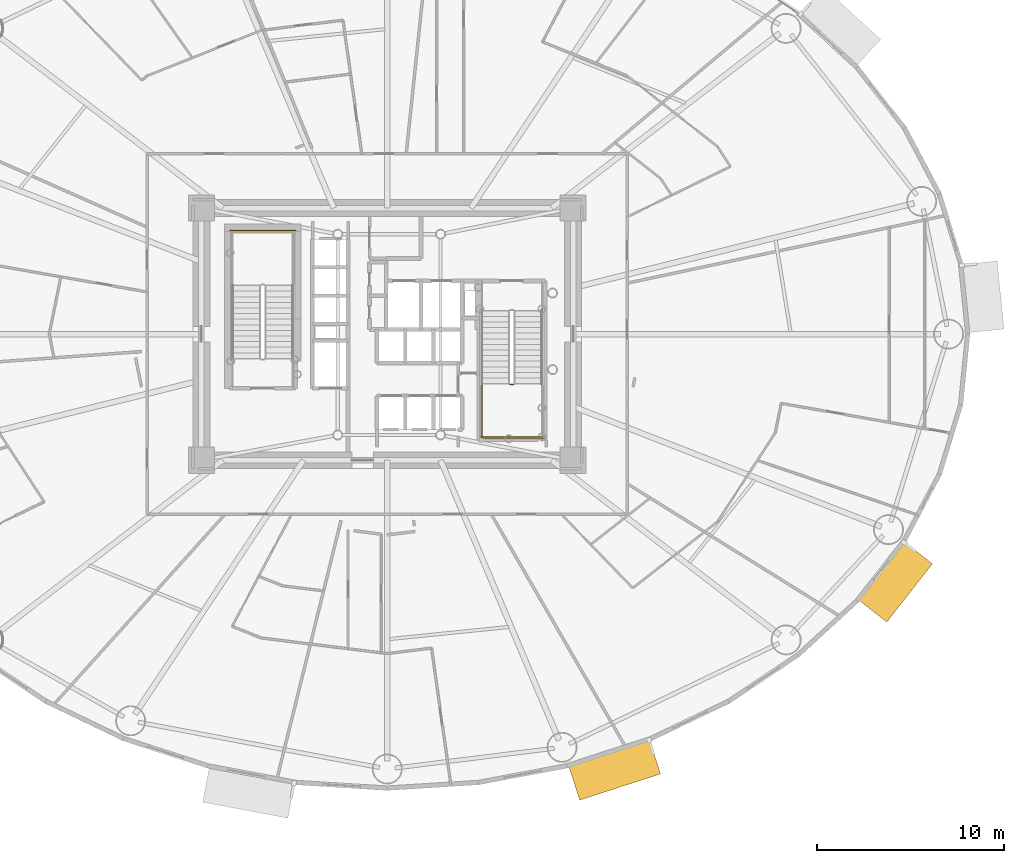
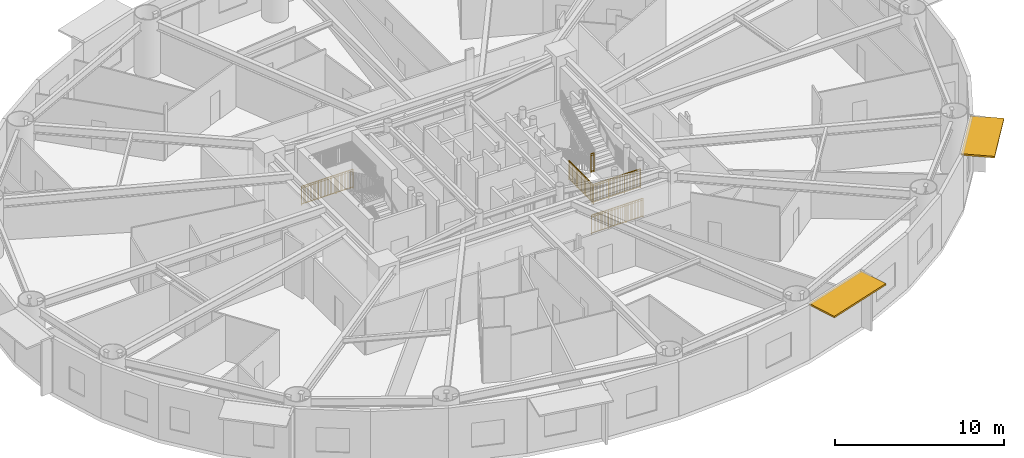
# One storey, part 17 of 20: 5 railings, 2 shading devices.
"""IFC4 building model written with IfcOpenShell, lengths in metres."""

from ifc_helpers import new_model, si_unit, direction, frame, origin, origin_2d, place, context, subcontext, project, spatial, rectangle, extrude, source, transform, mapped, material, layer, layer_set, type_object, element, save


model = new_model("IFC4")

# Units and contexts
model_context = context("Model", 3, precision=1e-05, world=origin(), true_north=direction((0.0, 1.0)))
body_context = subcontext(model_context, "Body", "Model", "MODEL_VIEW")
ifc_project = project(units=[si_unit("LENGTHUNIT", "METRE"), si_unit("AREAUNIT", "SQUARE_METRE"), si_unit("VOLUMEUNIT", "CUBIC_METRE"), si_unit("PLANEANGLEUNIT", "RADIAN"), si_unit("MASSUNIT", "GRAM", prefix="KILO")], contexts=[model_context])

# Site, building, storey
site_placement = place(None, origin())
site = spatial("IfcSite", under=ifc_project, at=site_placement, CompositionType="ELEMENT")
building_placement = place(site_placement, origin())
building = spatial("IfcBuilding", under=site, at=building_placement, Name="Linh Dai School and Residence Tower", CompositionType="ELEMENT")
storey_placement = place(building_placement, frame((0.0, 0.0, 66.0)))
storey = spatial("IfcBuildingStorey", under=building, at=storey_placement, Name="L15", CompositionType="ELEMENT", Elevation=66.0)

# Shading devices
ifc_material_1 = material(Name="Terracotta Ceramic Sunshade", Category="masonry")
ifc_layer = layer(ifc_material_1, 0.1201171875)
ifc_layer_set = layer_set([ifc_layer], Name="Terracotta Ceramic Sunshade")
shading_device_type = type_object("IfcShadingDeviceType", Name="SHD-TC-2000", PredefinedType="USERDEFINED", material=ifc_layer_set)
shared_shape_1 = source(origin(), body_context, "Body", "SweptSolid", [
    extrude(rectangle(XDim=4.54931640625, YDim=2.0, at=origin_2d()), origin(), (0.0, 0.0, 1.0), 0.1201171875),
])
shading_device_1_placement = place(storey_placement, frame((48.160400390625, 3.70458984375, 3.81005859375), z_axis=(0.0, 0.0, 1.0), x_axis=(-0.951220777043, -0.308510993844, 0.0)))
element("IfcShadingDevice", 1, at=shading_device_1_placement, inside=storey, type_object=shading_device_type, Name="L15 Terracotta Horizontal Sunshade Band 33", ObjectType="SUNSHADE", PredefinedType="USERDEFINED", context=body_context, shape_type="MappedRepresentation", body=[
    mapped(shared_shape_1, transform((0.0, 0.0, 0.0), x_axis=(1.0, 0.0, 0.0), y_axis=(0.0, 1.0, 0.0), z_axis=(0.0, 0.0, 1.0), scale=1.0)),
])
shared_shape_2 = source(origin(), body_context, "Body", "SweptSolid", [
    extrude(rectangle(XDim=3.964111328125, YDim=2.0, at=origin_2d()), origin(), (0.0, 0.0, 1.0), 0.1201171875),
])
shading_device_2_placement = place(storey_placement, frame((63.17822265625, 13.759521484375, 3.81005859375), z_axis=(0.0, 0.0, 1.0), x_axis=(-0.616319427785, -0.787496262172, 0.0)))
element("IfcShadingDevice", 2, at=shading_device_2_placement, inside=storey, type_object=shading_device_type, Name="L15 Terracotta Horizontal Sunshade Band 37", ObjectType="SUNSHADE", PredefinedType="USERDEFINED", context=body_context, shape_type="MappedRepresentation", body=[
    mapped(shared_shape_2, transform((0.0, 0.0, 0.0), x_axis=(1.0, 0.0, 0.0), y_axis=(0.0, 1.0, 0.0), z_axis=(0.0, 0.0, 1.0), scale=1.0)),
])

# Railings
ifc_material_2 = material(Name="Structural Steel S355JR", Category="steel")
railing_type = type_object("IfcRailingType", Name="RL-ST-GUARD-1400", PredefinedType="GUARDRAIL", material=ifc_material_2)
shared_shape_3 = source(origin(), body_context, "Body", "SweptSolid", [
    extrude(rectangle(XDim=0.048095703125, YDim=0.048095703125, at=origin_2d()), frame((0.0, 0.0, 1.3759765625), z_axis=(-1.0, 0.0, 0.0), x_axis=(0.0, -1.0, 0.0)), (0.0, 0.0, 1.0), 3.5),
    extrude(rectangle(XDim=0.048095703125, YDim=0.048095703125, at=origin_2d()), frame((0.0, 0.0, 0.10009765625), z_axis=(-1.0, 0.0, 0.0), x_axis=(0.0, -1.0, 0.0)), (0.0, 0.0, 1.0), 3.5),
    extrude(rectangle(XDim=0.030029296875, YDim=0.030029296875, at=origin_2d()), frame((0.0, 0.0, 1.239990234375), z_axis=(-1.0, 0.0, 0.0), x_axis=(0.0, -1.0, 0.0)), (0.0, 0.0, 1.0), 3.5),
    extrude(rectangle(XDim=0.02001953125, YDim=0.02001953125, at=origin_2d()), frame((-0.09716796875, 0.0, 0.10009765625)), (0.0, 0.0, 1.0), 1.251708984375),
    extrude(rectangle(XDim=0.02001953125, YDim=0.02001953125, at=origin_2d()), frame((-0.1943359375, 0.0, 0.10009765625)), (0.0, 0.0, 1.0), 1.251708984375),
    extrude(rectangle(XDim=0.02001953125, YDim=0.02001953125, at=origin_2d()), frame((-0.291748046875, 0.0, 0.10009765625)), (0.0, 0.0, 1.0), 1.251708984375),
    extrude(rectangle(XDim=0.02001953125, YDim=0.02001953125, at=origin_2d()), frame((-0.388916015625, 0.0, 0.10009765625)), (0.0, 0.0, 1.0), 1.251708984375),
    extrude(rectangle(XDim=0.02001953125, YDim=0.02001953125, at=origin_2d()), frame((-0.486083984375, 0.0, 0.10009765625)), (0.0, 0.0, 1.0), 1.251708984375),
    extrude(rectangle(XDim=0.02001953125, YDim=0.02001953125, at=origin_2d()), frame((-0.583251953125, 0.0, 0.10009765625)), (0.0, 0.0, 1.0), 1.251708984375),
    extrude(rectangle(XDim=0.02001953125, YDim=0.02001953125, at=origin_2d()), frame((-0.6806640625, 0.0, 0.10009765625)), (0.0, 0.0, 1.0), 1.251708984375),
    extrude(rectangle(XDim=0.02001953125, YDim=0.02001953125, at=origin_2d()), frame((-0.77783203125, 0.0, 0.10009765625)), (0.0, 0.0, 1.0), 1.251708984375),
    extrude(rectangle(XDim=0.02001953125, YDim=0.02001953125, at=origin_2d()), frame((-0.875, 0.0, 0.10009765625)), (0.0, 0.0, 1.0), 1.251708984375),
    extrude(rectangle(XDim=0.02001953125, YDim=0.02001953125, at=origin_2d()), frame((-0.97216796875, 0.0, 0.10009765625)), (0.0, 0.0, 1.0), 1.251708984375),
    extrude(rectangle(XDim=0.02001953125, YDim=0.02001953125, at=origin_2d()), frame((-1.0693359375, 0.0, 0.10009765625)), (0.0, 0.0, 1.0), 1.251708984375),
    extrude(rectangle(XDim=0.02001953125, YDim=0.02001953125, at=origin_2d()), frame((-1.263916015625, 0.0, 0.10009765625)), (0.0, 0.0, 1.0), 1.251708984375),
    extrude(rectangle(XDim=0.02001953125, YDim=0.02001953125, at=origin_2d()), frame((-1.361083984375, 0.0, 0.10009765625)), (0.0, 0.0, 1.0), 1.251708984375),
    extrude(rectangle(XDim=0.02001953125, YDim=0.02001953125, at=origin_2d()), frame((-1.458251953125, 0.0, 0.10009765625)), (0.0, 0.0, 1.0), 1.251708984375),
    extrude(rectangle(XDim=0.02001953125, YDim=0.02001953125, at=origin_2d()), frame((-1.5556640625, 0.0, 0.10009765625)), (0.0, 0.0, 1.0), 1.251708984375),
    extrude(rectangle(XDim=0.02001953125, YDim=0.02001953125, at=origin_2d()), frame((-1.65283203125, 0.0, 0.10009765625)), (0.0, 0.0, 1.0), 1.251708984375),
    extrude(rectangle(XDim=0.02001953125, YDim=0.02001953125, at=origin_2d()), frame((-1.75, 0.0, 0.10009765625)), (0.0, 0.0, 1.0), 1.251708984375),
    extrude(rectangle(XDim=0.02001953125, YDim=0.02001953125, at=origin_2d()), frame((-1.84716796875, 0.0, 0.10009765625)), (0.0, 0.0, 1.0), 1.251708984375),
    extrude(rectangle(XDim=0.02001953125, YDim=0.02001953125, at=origin_2d()), frame((-1.9443359375, 0.0, 0.10009765625)), (0.0, 0.0, 1.0), 1.251708984375),
    extrude(rectangle(XDim=0.02001953125, YDim=0.02001953125, at=origin_2d()), frame((-2.041748046875, 0.0, 0.10009765625)), (0.0, 0.0, 1.0), 1.251708984375),
    extrude(rectangle(XDim=0.02001953125, YDim=0.02001953125, at=origin_2d()), frame((-2.138916015625, 0.0, 0.10009765625)), (0.0, 0.0, 1.0), 1.251708984375),
    extrude(rectangle(XDim=0.02001953125, YDim=0.02001953125, at=origin_2d()), frame((-2.236083984375, 0.0, 0.10009765625)), (0.0, 0.0, 1.0), 1.251708984375),
    extrude(rectangle(XDim=0.02001953125, YDim=0.02001953125, at=origin_2d()), frame((-2.4306640625, 0.0, 0.10009765625)), (0.0, 0.0, 1.0), 1.251708984375),
    extrude(rectangle(XDim=0.02001953125, YDim=0.02001953125, at=origin_2d()), frame((-2.52783203125, 0.0, 0.10009765625)), (0.0, 0.0, 1.0), 1.251708984375),
    extrude(rectangle(XDim=0.02001953125, YDim=0.02001953125, at=origin_2d()), frame((-2.625, 0.0, 0.10009765625)), (0.0, 0.0, 1.0), 1.251708984375),
    extrude(rectangle(XDim=0.02001953125, YDim=0.02001953125, at=origin_2d()), frame((-2.72216796875, 0.0, 0.10009765625)), (0.0, 0.0, 1.0), 1.251708984375),
    extrude(rectangle(XDim=0.02001953125, YDim=0.02001953125, at=origin_2d()), frame((-2.8193359375, 0.0, 0.10009765625)), (0.0, 0.0, 1.0), 1.251708984375),
    extrude(rectangle(XDim=0.02001953125, YDim=0.02001953125, at=origin_2d()), frame((-2.916748046875, 0.0, 0.10009765625)), (0.0, 0.0, 1.0), 1.251708984375),
    extrude(rectangle(XDim=0.02001953125, YDim=0.02001953125, at=origin_2d()), frame((-3.013916015625, 0.0, 0.10009765625)), (0.0, 0.0, 1.0), 1.251708984375),
    extrude(rectangle(XDim=0.02001953125, YDim=0.02001953125, at=origin_2d()), frame((-3.111083984375, 0.0, 0.10009765625)), (0.0, 0.0, 1.0), 1.251708984375),
    extrude(rectangle(XDim=0.02001953125, YDim=0.02001953125, at=origin_2d()), frame((-3.208251953125, 0.0, 0.10009765625)), (0.0, 0.0, 1.0), 1.251708984375),
    extrude(rectangle(XDim=0.02001953125, YDim=0.02001953125, at=origin_2d()), frame((-3.3056640625, 0.0, 0.10009765625)), (0.0, 0.0, 1.0), 1.251708984375),
    extrude(rectangle(XDim=0.02001953125, YDim=0.02001953125, at=origin_2d()), frame((-3.40283203125, 0.0, 0.10009765625)), (0.0, 0.0, 1.0), 1.251708984375),
    extrude(rectangle(XDim=0.0419921875, YDim=0.0419921875, at=origin_2d()), origin(), (0.0, 0.0, 1.0), 1.3759765625),
    extrude(rectangle(XDim=0.0419921875, YDim=0.0419921875, at=origin_2d()), frame((-1.166748046875, 0.0, 0.0)), (0.0, 0.0, 1.0), 1.3759765625),
    extrude(rectangle(XDim=0.0419921875, YDim=0.0419921875, at=origin_2d()), frame((-2.333251953125, 0.0, 0.0)), (0.0, 0.0, 1.0), 1.3759765625),
    extrude(rectangle(XDim=0.0419921875, YDim=0.0419921875, at=origin_2d()), frame((-3.5, 0.0, 0.0)), (0.0, 0.0, 1.0), 1.3759765625),
])
railing_1_placement = place(storey_placement, frame((31.080078125, 32.550048828125, 0.0)))
element("IfcRailing", 3, at=railing_1_placement, inside=storey, type_object=railing_type, Name="L15 ST1 stair guard 12", PredefinedType="GUARDRAIL", context=body_context, shape_type="MappedRepresentation", body=[
    mapped(shared_shape_3, transform((0.0, 0.0, 0.0), x_axis=(1.0, 0.0, 0.0), y_axis=(0.0, 1.0, 0.0), z_axis=(0.0, 0.0, 1.0), scale=1.0)),
])
shared_shape_4 = source(origin(), body_context, "Body", "SweptSolid", [
    extrude(rectangle(XDim=0.048095703125, YDim=0.048095703125, at=origin_2d()), frame((0.0, 0.0, 1.3759765625), z_axis=(1.0, 0.0, 0.0), x_axis=(0.0, 1.0, 0.0)), (0.0, 0.0, 1.0), 0.199951171875),
    extrude(rectangle(XDim=0.048095703125, YDim=0.048095703125, at=origin_2d()), frame((0.0, 0.0, 0.10009765625), z_axis=(1.0, 0.0, 0.0), x_axis=(0.0, 1.0, 0.0)), (0.0, 0.0, 1.0), 0.199951171875),
    extrude(rectangle(XDim=0.030029296875, YDim=0.030029296875, at=origin_2d()), frame((0.0, 0.0, 1.239990234375), z_axis=(1.0, 0.0, 0.0), x_axis=(0.0, 1.0, 0.0)), (0.0, 0.0, 1.0), 0.199951171875),
    extrude(rectangle(XDim=0.0419921875, YDim=0.0419921875, at=origin_2d()), origin(), (0.0, 0.0, 1.0), 1.3759765625),
    extrude(rectangle(XDim=0.0419921875, YDim=0.0419921875, at=origin_2d()), frame((0.199951171875, 0.0, 0.0)), (0.0, 0.0, 1.0), 1.3759765625),
])
railing_2_placement = place(storey_placement, frame((42.570068359375, 24.300048828125, 2.10009765625)))
element("IfcRailing", 4, at=railing_2_placement, inside=storey, type_object=railing_type, Name="L15 ST2 stair guard 2", PredefinedType="GUARDRAIL", context=body_context, shape_type="MappedRepresentation", body=[
    mapped(shared_shape_4, transform((0.0, 0.0, 0.0), x_axis=(1.0, 0.0, 0.0), y_axis=(0.0, 1.0, 0.0), z_axis=(0.0, 0.0, 1.0), scale=1.0)),
])
shared_shape_5 = source(origin(), body_context, "Body", "SweptSolid", [
    extrude(rectangle(XDim=0.048095703125, YDim=0.048095703125, at=origin_2d()), frame((0.0, 0.0, 1.3759765625), z_axis=(1.0, 0.0, 0.0), x_axis=(0.0, 1.0, 0.0)), (0.0, 0.0, 1.0), 3.300048828125),
    extrude(rectangle(XDim=0.048095703125, YDim=0.048095703125, at=origin_2d()), frame((0.0, 0.0, 0.10009765625), z_axis=(1.0, 0.0, 0.0), x_axis=(0.0, 1.0, 0.0)), (0.0, 0.0, 1.0), 3.300048828125),
    extrude(rectangle(XDim=0.030029296875, YDim=0.030029296875, at=origin_2d()), frame((0.0, 0.0, 1.239990234375), z_axis=(1.0, 0.0, 0.0), x_axis=(0.0, 1.0, 0.0)), (0.0, 0.0, 1.0), 3.300048828125),
    extrude(rectangle(XDim=0.02001953125, YDim=0.02001953125, at=origin_2d()), frame((0.09716796875, 0.0, 0.10009765625)), (0.0, 0.0, 1.0), 1.251708984375),
    extrude(rectangle(XDim=0.02001953125, YDim=0.02001953125, at=origin_2d()), frame((0.194091796875, 0.0, 0.10009765625)), (0.0, 0.0, 1.0), 1.251708984375),
    extrude(rectangle(XDim=0.02001953125, YDim=0.02001953125, at=origin_2d()), frame((0.291259765625, 0.0, 0.10009765625)), (0.0, 0.0, 1.0), 1.251708984375),
    extrude(rectangle(XDim=0.02001953125, YDim=0.02001953125, at=origin_2d()), frame((0.38818359375, 0.0, 0.10009765625)), (0.0, 0.0, 1.0), 1.251708984375),
    extrude(rectangle(XDim=0.02001953125, YDim=0.02001953125, at=origin_2d()), frame((0.4853515625, 0.0, 0.10009765625)), (0.0, 0.0, 1.0), 1.251708984375),
    extrude(rectangle(XDim=0.02001953125, YDim=0.02001953125, at=origin_2d()), frame((0.582275390625, 0.0, 0.10009765625)), (0.0, 0.0, 1.0), 1.251708984375),
    extrude(rectangle(XDim=0.02001953125, YDim=0.02001953125, at=origin_2d()), frame((0.679443359375, 0.0, 0.10009765625)), (0.0, 0.0, 1.0), 1.251708984375),
    extrude(rectangle(XDim=0.02001953125, YDim=0.02001953125, at=origin_2d()), frame((0.7763671875, 0.0, 0.10009765625)), (0.0, 0.0, 1.0), 1.251708984375),
    extrude(rectangle(XDim=0.02001953125, YDim=0.02001953125, at=origin_2d()), frame((0.87353515625, 0.0, 0.10009765625)), (0.0, 0.0, 1.0), 1.251708984375),
    extrude(rectangle(XDim=0.02001953125, YDim=0.02001953125, at=origin_2d()), frame((0.970703125, 0.0, 0.10009765625)), (0.0, 0.0, 1.0), 1.251708984375),
    extrude(rectangle(XDim=0.02001953125, YDim=0.02001953125, at=origin_2d()), frame((1.164794921875, 0.0, 0.10009765625)), (0.0, 0.0, 1.0), 1.251708984375),
    extrude(rectangle(XDim=0.02001953125, YDim=0.02001953125, at=origin_2d()), frame((1.26171875, 0.0, 0.10009765625)), (0.0, 0.0, 1.0), 1.251708984375),
    extrude(rectangle(XDim=0.02001953125, YDim=0.02001953125, at=origin_2d()), frame((1.35888671875, 0.0, 0.10009765625)), (0.0, 0.0, 1.0), 1.251708984375),
    extrude(rectangle(XDim=0.02001953125, YDim=0.02001953125, at=origin_2d()), frame((1.455810546875, 0.0, 0.10009765625)), (0.0, 0.0, 1.0), 1.251708984375),
    extrude(rectangle(XDim=0.02001953125, YDim=0.02001953125, at=origin_2d()), frame((1.552978515625, 0.0, 0.10009765625)), (0.0, 0.0, 1.0), 1.251708984375),
    extrude(rectangle(XDim=0.02001953125, YDim=0.02001953125, at=origin_2d()), frame((1.64990234375, 0.0, 0.10009765625)), (0.0, 0.0, 1.0), 1.251708984375),
    extrude(rectangle(XDim=0.02001953125, YDim=0.02001953125, at=origin_2d()), frame((1.7470703125, 0.0, 0.10009765625)), (0.0, 0.0, 1.0), 1.251708984375),
    extrude(rectangle(XDim=0.02001953125, YDim=0.02001953125, at=origin_2d()), frame((1.84423828125, 0.0, 0.10009765625)), (0.0, 0.0, 1.0), 1.251708984375),
    extrude(rectangle(XDim=0.02001953125, YDim=0.02001953125, at=origin_2d()), frame((1.941162109375, 0.0, 0.10009765625)), (0.0, 0.0, 1.0), 1.251708984375),
    extrude(rectangle(XDim=0.02001953125, YDim=0.02001953125, at=origin_2d()), frame((2.038330078125, 0.0, 0.10009765625)), (0.0, 0.0, 1.0), 1.251708984375),
    extrude(rectangle(XDim=0.02001953125, YDim=0.02001953125, at=origin_2d()), frame((2.13525390625, 0.0, 0.10009765625)), (0.0, 0.0, 1.0), 1.251708984375),
    extrude(rectangle(XDim=0.02001953125, YDim=0.02001953125, at=origin_2d()), frame((2.329345703125, 0.0, 0.10009765625)), (0.0, 0.0, 1.0), 1.251708984375),
    extrude(rectangle(XDim=0.02001953125, YDim=0.02001953125, at=origin_2d()), frame((2.426513671875, 0.0, 0.10009765625)), (0.0, 0.0, 1.0), 1.251708984375),
    extrude(rectangle(XDim=0.02001953125, YDim=0.02001953125, at=origin_2d()), frame((2.523681640625, 0.0, 0.10009765625)), (0.0, 0.0, 1.0), 1.251708984375),
    extrude(rectangle(XDim=0.02001953125, YDim=0.02001953125, at=origin_2d()), frame((2.62060546875, 0.0, 0.10009765625)), (0.0, 0.0, 1.0), 1.251708984375),
    extrude(rectangle(XDim=0.02001953125, YDim=0.02001953125, at=origin_2d()), frame((2.7177734375, 0.0, 0.10009765625)), (0.0, 0.0, 1.0), 1.251708984375),
    extrude(rectangle(XDim=0.02001953125, YDim=0.02001953125, at=origin_2d()), frame((2.814697265625, 0.0, 0.10009765625)), (0.0, 0.0, 1.0), 1.251708984375),
    extrude(rectangle(XDim=0.02001953125, YDim=0.02001953125, at=origin_2d()), frame((2.911865234375, 0.0, 0.10009765625)), (0.0, 0.0, 1.0), 1.251708984375),
    extrude(rectangle(XDim=0.02001953125, YDim=0.02001953125, at=origin_2d()), frame((3.0087890625, 0.0, 0.10009765625)), (0.0, 0.0, 1.0), 1.251708984375),
    extrude(rectangle(XDim=0.02001953125, YDim=0.02001953125, at=origin_2d()), frame((3.10595703125, 0.0, 0.10009765625)), (0.0, 0.0, 1.0), 1.251708984375),
    extrude(rectangle(XDim=0.02001953125, YDim=0.02001953125, at=origin_2d()), frame((3.202880859375, 0.0, 0.10009765625)), (0.0, 0.0, 1.0), 1.251708984375),
    extrude(rectangle(XDim=0.0419921875, YDim=0.0419921875, at=origin_2d()), origin(), (0.0, 0.0, 1.0), 1.3759765625),
    extrude(rectangle(XDim=0.0419921875, YDim=0.0419921875, at=origin_2d()), frame((1.10009765625, 0.0, 0.0)), (0.0, 0.0, 1.0), 1.3759765625),
    extrude(rectangle(XDim=0.0419921875, YDim=0.0419921875, at=origin_2d()), frame((2.199951171875, 0.0, 0.0)), (0.0, 0.0, 1.0), 1.3759765625),
    extrude(rectangle(XDim=0.0419921875, YDim=0.0419921875, at=origin_2d()), frame((3.300048828125, 0.0, 0.0)), (0.0, 0.0, 1.0), 1.3759765625),
])
railing_3_placement = place(storey_placement, frame((41.02001953125, 21.5, 2.10009765625)))
element("IfcRailing", 5, at=railing_3_placement, inside=storey, type_object=railing_type, Name="L15 ST2 stair guard 5", PredefinedType="GUARDRAIL", context=body_context, shape_type="MappedRepresentation", body=[
    mapped(shared_shape_5, transform((0.0, 0.0, 0.0), x_axis=(1.0, 0.0, 0.0), y_axis=(0.0, 1.0, 0.0), z_axis=(0.0, 0.0, 1.0), scale=1.0)),
])
shared_shape_6 = source(origin(), body_context, "Body", "SweptSolid", [
    extrude(rectangle(XDim=0.048095703125, YDim=0.048095703125, at=origin_2d()), frame((0.0, 0.0, 1.3759765625), z_axis=(1.0, 0.0, 0.0), x_axis=(0.0, 1.0, 0.0)), (0.0, 0.0, 1.0), 3.5),
    extrude(rectangle(XDim=0.048095703125, YDim=0.048095703125, at=origin_2d()), frame((0.0, 0.0, 0.10009765625), z_axis=(1.0, 0.0, 0.0), x_axis=(0.0, 1.0, 0.0)), (0.0, 0.0, 1.0), 3.5),
    extrude(rectangle(XDim=0.030029296875, YDim=0.030029296875, at=origin_2d()), frame((0.0, 0.0, 1.239990234375), z_axis=(1.0, 0.0, 0.0), x_axis=(0.0, 1.0, 0.0)), (0.0, 0.0, 1.0), 3.5),
    extrude(rectangle(XDim=0.02001953125, YDim=0.02001953125, at=origin_2d()), frame((0.09716796875, 0.0, 0.10009765625)), (0.0, 0.0, 1.0), 1.251708984375),
    extrude(rectangle(XDim=0.02001953125, YDim=0.02001953125, at=origin_2d()), frame((0.1943359375, 0.0, 0.10009765625)), (0.0, 0.0, 1.0), 1.251708984375),
    extrude(rectangle(XDim=0.02001953125, YDim=0.02001953125, at=origin_2d()), frame((0.291748046875, 0.0, 0.10009765625)), (0.0, 0.0, 1.0), 1.251708984375),
    extrude(rectangle(XDim=0.02001953125, YDim=0.02001953125, at=origin_2d()), frame((0.388916015625, 0.0, 0.10009765625)), (0.0, 0.0, 1.0), 1.251708984375),
    extrude(rectangle(XDim=0.02001953125, YDim=0.02001953125, at=origin_2d()), frame((0.486083984375, 0.0, 0.10009765625)), (0.0, 0.0, 1.0), 1.251708984375),
    extrude(rectangle(XDim=0.02001953125, YDim=0.02001953125, at=origin_2d()), frame((0.583251953125, 0.0, 0.10009765625)), (0.0, 0.0, 1.0), 1.251708984375),
    extrude(rectangle(XDim=0.02001953125, YDim=0.02001953125, at=origin_2d()), frame((0.6806640625, 0.0, 0.10009765625)), (0.0, 0.0, 1.0), 1.251708984375),
    extrude(rectangle(XDim=0.02001953125, YDim=0.02001953125, at=origin_2d()), frame((0.77783203125, 0.0, 0.10009765625)), (0.0, 0.0, 1.0), 1.251708984375),
    extrude(rectangle(XDim=0.02001953125, YDim=0.02001953125, at=origin_2d()), frame((0.875, 0.0, 0.10009765625)), (0.0, 0.0, 1.0), 1.251708984375),
    extrude(rectangle(XDim=0.02001953125, YDim=0.02001953125, at=origin_2d()), frame((0.97216796875, 0.0, 0.10009765625)), (0.0, 0.0, 1.0), 1.251708984375),
    extrude(rectangle(XDim=0.02001953125, YDim=0.02001953125, at=origin_2d()), frame((1.0693359375, 0.0, 0.10009765625)), (0.0, 0.0, 1.0), 1.251708984375),
    extrude(rectangle(XDim=0.02001953125, YDim=0.02001953125, at=origin_2d()), frame((1.263916015625, 0.0, 0.10009765625)), (0.0, 0.0, 1.0), 1.251708984375),
    extrude(rectangle(XDim=0.02001953125, YDim=0.02001953125, at=origin_2d()), frame((1.361083984375, 0.0, 0.10009765625)), (0.0, 0.0, 1.0), 1.251708984375),
    extrude(rectangle(XDim=0.02001953125, YDim=0.02001953125, at=origin_2d()), frame((1.458251953125, 0.0, 0.10009765625)), (0.0, 0.0, 1.0), 1.251708984375),
    extrude(rectangle(XDim=0.02001953125, YDim=0.02001953125, at=origin_2d()), frame((1.5556640625, 0.0, 0.10009765625)), (0.0, 0.0, 1.0), 1.251708984375),
    extrude(rectangle(XDim=0.02001953125, YDim=0.02001953125, at=origin_2d()), frame((1.65283203125, 0.0, 0.10009765625)), (0.0, 0.0, 1.0), 1.251708984375),
    extrude(rectangle(XDim=0.02001953125, YDim=0.02001953125, at=origin_2d()), frame((1.75, 0.0, 0.10009765625)), (0.0, 0.0, 1.0), 1.251708984375),
    extrude(rectangle(XDim=0.02001953125, YDim=0.02001953125, at=origin_2d()), frame((1.84716796875, 0.0, 0.10009765625)), (0.0, 0.0, 1.0), 1.251708984375),
    extrude(rectangle(XDim=0.02001953125, YDim=0.02001953125, at=origin_2d()), frame((1.9443359375, 0.0, 0.10009765625)), (0.0, 0.0, 1.0), 1.251708984375),
    extrude(rectangle(XDim=0.02001953125, YDim=0.02001953125, at=origin_2d()), frame((2.041748046875, 0.0, 0.10009765625)), (0.0, 0.0, 1.0), 1.251708984375),
    extrude(rectangle(XDim=0.02001953125, YDim=0.02001953125, at=origin_2d()), frame((2.138916015625, 0.0, 0.10009765625)), (0.0, 0.0, 1.0), 1.251708984375),
    extrude(rectangle(XDim=0.02001953125, YDim=0.02001953125, at=origin_2d()), frame((2.236083984375, 0.0, 0.10009765625)), (0.0, 0.0, 1.0), 1.251708984375),
    extrude(rectangle(XDim=0.02001953125, YDim=0.02001953125, at=origin_2d()), frame((2.4306640625, 0.0, 0.10009765625)), (0.0, 0.0, 1.0), 1.251708984375),
    extrude(rectangle(XDim=0.02001953125, YDim=0.02001953125, at=origin_2d()), frame((2.52783203125, 0.0, 0.10009765625)), (0.0, 0.0, 1.0), 1.251708984375),
    extrude(rectangle(XDim=0.02001953125, YDim=0.02001953125, at=origin_2d()), frame((2.625, 0.0, 0.10009765625)), (0.0, 0.0, 1.0), 1.251708984375),
    extrude(rectangle(XDim=0.02001953125, YDim=0.02001953125, at=origin_2d()), frame((2.72216796875, 0.0, 0.10009765625)), (0.0, 0.0, 1.0), 1.251708984375),
    extrude(rectangle(XDim=0.02001953125, YDim=0.02001953125, at=origin_2d()), frame((2.8193359375, 0.0, 0.10009765625)), (0.0, 0.0, 1.0), 1.251708984375),
    extrude(rectangle(XDim=0.02001953125, YDim=0.02001953125, at=origin_2d()), frame((2.916748046875, 0.0, 0.10009765625)), (0.0, 0.0, 1.0), 1.251708984375),
    extrude(rectangle(XDim=0.02001953125, YDim=0.02001953125, at=origin_2d()), frame((3.013916015625, 0.0, 0.10009765625)), (0.0, 0.0, 1.0), 1.251708984375),
    extrude(rectangle(XDim=0.02001953125, YDim=0.02001953125, at=origin_2d()), frame((3.111083984375, 0.0, 0.10009765625)), (0.0, 0.0, 1.0), 1.251708984375),
    extrude(rectangle(XDim=0.02001953125, YDim=0.02001953125, at=origin_2d()), frame((3.208251953125, 0.0, 0.10009765625)), (0.0, 0.0, 1.0), 1.251708984375),
    extrude(rectangle(XDim=0.02001953125, YDim=0.02001953125, at=origin_2d()), frame((3.3056640625, 0.0, 0.10009765625)), (0.0, 0.0, 1.0), 1.251708984375),
    extrude(rectangle(XDim=0.02001953125, YDim=0.02001953125, at=origin_2d()), frame((3.40283203125, 0.0, 0.10009765625)), (0.0, 0.0, 1.0), 1.251708984375),
    extrude(rectangle(XDim=0.0419921875, YDim=0.0419921875, at=origin_2d()), origin(), (0.0, 0.0, 1.0), 1.3759765625),
    extrude(rectangle(XDim=0.0419921875, YDim=0.0419921875, at=origin_2d()), frame((1.166748046875, 0.0, 0.0)), (0.0, 0.0, 1.0), 1.3759765625),
    extrude(rectangle(XDim=0.0419921875, YDim=0.0419921875, at=origin_2d()), frame((2.333251953125, 0.0, 0.0)), (0.0, 0.0, 1.0), 1.3759765625),
    extrude(rectangle(XDim=0.0419921875, YDim=0.0419921875, at=origin_2d()), frame((3.5, 0.0, 0.0)), (0.0, 0.0, 1.0), 1.3759765625),
])
railing_4_placement = place(storey_placement, frame((40.919921875, 21.39990234375, 0.0)))
element("IfcRailing", 6, at=railing_4_placement, inside=storey, type_object=railing_type, Name="L15 ST2 stair guard 12", PredefinedType="GUARDRAIL", context=body_context, shape_type="MappedRepresentation", body=[
    mapped(shared_shape_6, transform((0.0, 0.0, 0.0), x_axis=(1.0, 0.0, 0.0), y_axis=(0.0, 1.0, 0.0), z_axis=(0.0, 0.0, 1.0), scale=1.0)),
])
shared_shape_7 = source(origin(), body_context, "Body", "SweptSolid", [
    extrude(rectangle(XDim=0.048095703125, YDim=0.048095703125, at=origin_2d()), frame((0.0, 0.0, 1.3759765625), z_axis=(0.0, -1.0, 0.0), x_axis=(1.0, 0.0, 0.0)), (0.0, 0.0, 1.0), 2.900146484375),
    extrude(rectangle(XDim=0.048095703125, YDim=0.048095703125, at=origin_2d()), frame((0.0, 0.0, 0.10009765625), z_axis=(0.0, -1.0, 0.0), x_axis=(1.0, 0.0, 0.0)), (0.0, 0.0, 1.0), 2.900146484375),
    extrude(rectangle(XDim=0.030029296875, YDim=0.030029296875, at=origin_2d()), frame((0.0, 0.0, 1.239990234375), z_axis=(0.0, -1.0, 0.0), x_axis=(1.0, 0.0, 0.0)), (0.0, 0.0, 1.0), 2.900146484375),
    extrude(rectangle(XDim=0.02001953125, YDim=0.02001953125, at=origin_2d()), frame((0.0, -0.0966796875, 0.10009765625)), (0.0, 0.0, 1.0), 1.251708984375),
    extrude(rectangle(XDim=0.02001953125, YDim=0.02001953125, at=origin_2d()), frame((0.0, -0.193359375, 0.10009765625)), (0.0, 0.0, 1.0), 1.251708984375),
    extrude(rectangle(XDim=0.02001953125, YDim=0.02001953125, at=origin_2d()), frame((0.0, -0.2900390625, 0.10009765625)), (0.0, 0.0, 1.0), 1.251708984375),
    extrude(rectangle(XDim=0.02001953125, YDim=0.02001953125, at=origin_2d()), frame((0.0, -0.38671875, 0.10009765625)), (0.0, 0.0, 1.0), 1.251708984375),
    extrude(rectangle(XDim=0.02001953125, YDim=0.02001953125, at=origin_2d()), frame((0.0, -0.4833984375, 0.10009765625)), (0.0, 0.0, 1.0), 1.251708984375),
    extrude(rectangle(XDim=0.02001953125, YDim=0.02001953125, at=origin_2d()), frame((0.0, -0.580078125, 0.10009765625)), (0.0, 0.0, 1.0), 1.251708984375),
    extrude(rectangle(XDim=0.02001953125, YDim=0.02001953125, at=origin_2d()), frame((0.0, -0.6767578125, 0.10009765625)), (0.0, 0.0, 1.0), 1.251708984375),
    extrude(rectangle(XDim=0.02001953125, YDim=0.02001953125, at=origin_2d()), frame((0.0, -0.7734375, 0.10009765625)), (0.0, 0.0, 1.0), 1.251708984375),
    extrude(rectangle(XDim=0.02001953125, YDim=0.02001953125, at=origin_2d()), frame((0.0, -0.8701171875, 0.10009765625)), (0.0, 0.0, 1.0), 1.251708984375),
    extrude(rectangle(XDim=0.02001953125, YDim=0.02001953125, at=origin_2d()), frame((0.0, -1.0634765625, 0.10009765625)), (0.0, 0.0, 1.0), 1.251708984375),
    extrude(rectangle(XDim=0.02001953125, YDim=0.02001953125, at=origin_2d()), frame((0.0, -1.16015625, 0.10009765625)), (0.0, 0.0, 1.0), 1.251708984375),
    extrude(rectangle(XDim=0.02001953125, YDim=0.02001953125, at=origin_2d()), frame((0.0, -1.2568359375, 0.10009765625)), (0.0, 0.0, 1.0), 1.251708984375),
    extrude(rectangle(XDim=0.02001953125, YDim=0.02001953125, at=origin_2d()), frame((0.0, -1.353515625, 0.10009765625)), (0.0, 0.0, 1.0), 1.251708984375),
    extrude(rectangle(XDim=0.02001953125, YDim=0.02001953125, at=origin_2d()), frame((0.0, -1.4501953125, 0.10009765625)), (0.0, 0.0, 1.0), 1.251708984375),
    extrude(rectangle(XDim=0.02001953125, YDim=0.02001953125, at=origin_2d()), frame((0.0, -1.546630859375, 0.10009765625)), (0.0, 0.0, 1.0), 1.251708984375),
    extrude(rectangle(XDim=0.02001953125, YDim=0.02001953125, at=origin_2d()), frame((0.0, -1.643310546875, 0.10009765625)), (0.0, 0.0, 1.0), 1.251708984375),
    extrude(rectangle(XDim=0.02001953125, YDim=0.02001953125, at=origin_2d()), frame((0.0, -1.739990234375, 0.10009765625)), (0.0, 0.0, 1.0), 1.251708984375),
    extrude(rectangle(XDim=0.02001953125, YDim=0.02001953125, at=origin_2d()), frame((0.0, -1.836669921875, 0.10009765625)), (0.0, 0.0, 1.0), 1.251708984375),
    extrude(rectangle(XDim=0.02001953125, YDim=0.02001953125, at=origin_2d()), frame((0.0, -2.030029296875, 0.10009765625)), (0.0, 0.0, 1.0), 1.251708984375),
    extrude(rectangle(XDim=0.02001953125, YDim=0.02001953125, at=origin_2d()), frame((0.0, -2.126708984375, 0.10009765625)), (0.0, 0.0, 1.0), 1.251708984375),
    extrude(rectangle(XDim=0.02001953125, YDim=0.02001953125, at=origin_2d()), frame((0.0, -2.223388671875, 0.10009765625)), (0.0, 0.0, 1.0), 1.251708984375),
    extrude(rectangle(XDim=0.02001953125, YDim=0.02001953125, at=origin_2d()), frame((0.0, -2.320068359375, 0.10009765625)), (0.0, 0.0, 1.0), 1.251708984375),
    extrude(rectangle(XDim=0.02001953125, YDim=0.02001953125, at=origin_2d()), frame((0.0, -2.416748046875, 0.10009765625)), (0.0, 0.0, 1.0), 1.251708984375),
    extrude(rectangle(XDim=0.02001953125, YDim=0.02001953125, at=origin_2d()), frame((0.0, -2.513427734375, 0.10009765625)), (0.0, 0.0, 1.0), 1.251708984375),
    extrude(rectangle(XDim=0.02001953125, YDim=0.02001953125, at=origin_2d()), frame((0.0, -2.610107421875, 0.10009765625)), (0.0, 0.0, 1.0), 1.251708984375),
    extrude(rectangle(XDim=0.02001953125, YDim=0.02001953125, at=origin_2d()), frame((0.0, -2.706787109375, 0.10009765625)), (0.0, 0.0, 1.0), 1.251708984375),
    extrude(rectangle(XDim=0.02001953125, YDim=0.02001953125, at=origin_2d()), frame((0.0, -2.803466796875, 0.10009765625)), (0.0, 0.0, 1.0), 1.251708984375),
    extrude(rectangle(XDim=0.0419921875, YDim=0.0419921875, at=origin_2d()), origin(), (0.0, 0.0, 1.0), 1.3759765625),
    extrude(rectangle(XDim=0.0419921875, YDim=0.0419921875, at=origin_2d()), frame((0.0, -0.966796875, 0.0)), (0.0, 0.0, 1.0), 1.3759765625),
    extrude(rectangle(XDim=0.0419921875, YDim=0.0419921875, at=origin_2d()), frame((0.0, -1.933349609375, 0.0)), (0.0, 0.0, 1.0), 1.3759765625),
    extrude(rectangle(XDim=0.0419921875, YDim=0.0419921875, at=origin_2d()), frame((0.0, -2.900146484375, 0.0)), (0.0, 0.0, 1.0), 1.3759765625),
])
railing_5_placement = place(storey_placement, frame((41.070068359375, 24.35009765625, 2.10009765625)))
element("IfcRailing", 7, at=railing_5_placement, inside=storey, type_object=railing_type, Name="L15 ST2 stair guard 3", PredefinedType="GUARDRAIL", context=body_context, shape_type="MappedRepresentation", body=[
    mapped(shared_shape_7, transform((0.0, 0.0, 0.0), x_axis=(1.0, 0.0, 0.0), y_axis=(0.0, 1.0, 0.0), z_axis=(0.0, 0.0, 1.0), scale=1.0)),
])

save(model, "model.ifc")
